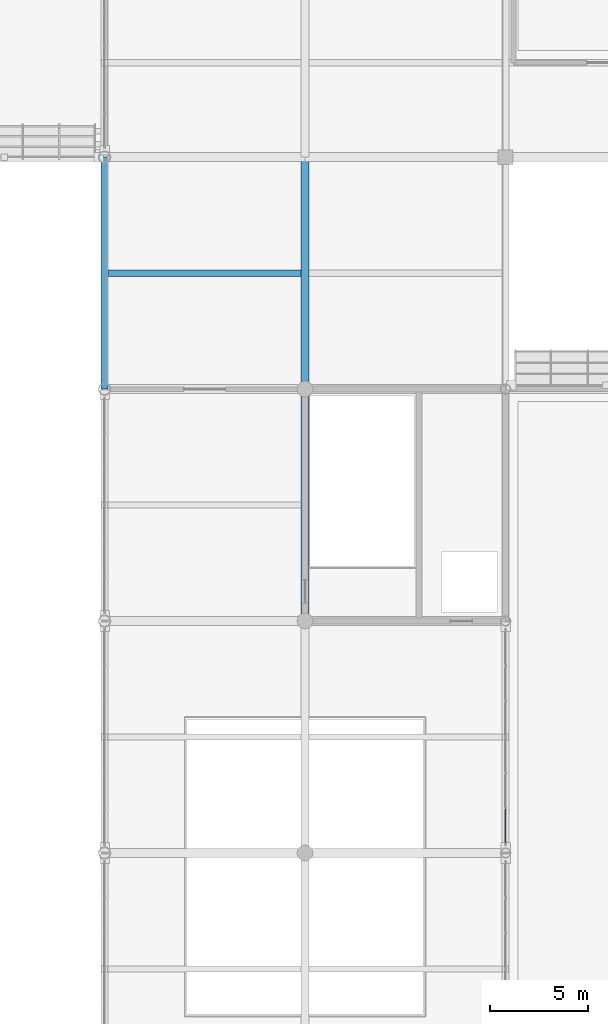
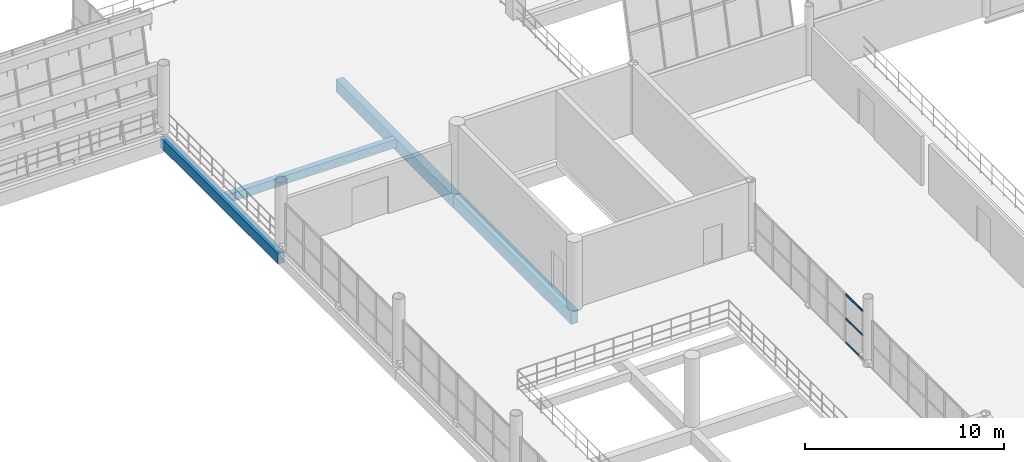
# One storey, part 74 of 157: 4 beams, 3 members, 1 element without a shape of its own.
"""IFC4 building model written with IfcOpenShell, lengths in metres."""

from ifc_helpers import new_model, si_unit, direction, frame, origin, origin_2d, place, context, subcontext, project, spatial, rectangle, hollow_rectangle, extrude, material, material_profile, profile_set, type_object, element, aggregate, save


model = new_model("IFC4")

# Units and contexts
model_context = context("Model", 3, precision=1e-05, world=origin(), true_north=direction((0.0, 1.0)))
body_context = subcontext(model_context, "Body", "Model", "MODEL_VIEW")
ifc_project = project(units=[si_unit("LENGTHUNIT", "METRE"), si_unit("AREAUNIT", "SQUARE_METRE"), si_unit("VOLUMEUNIT", "CUBIC_METRE"), si_unit("PLANEANGLEUNIT", "RADIAN"), si_unit("MASSUNIT", "GRAM", prefix="KILO")], contexts=[model_context])

# Site, building, storey
site_placement = place(None, origin())
site = spatial("IfcSite", under=ifc_project, at=site_placement, CompositionType="ELEMENT")
building_placement = place(site_placement, origin())
building = spatial("IfcBuilding", under=site, at=building_placement, Name="Brelvane Convention Centre", CompositionType="ELEMENT")
storey_placement = place(building_placement, frame((0.0, 0.0, 10.800048828125)))
storey = spatial("IfcBuildingStorey", under=building, at=storey_placement, Name="L02", CompositionType="ELEMENT", Elevation=10.800048828125)

# Curtain wall, members
ifc_material_1 = material(Name="Anodised Aluminium Alloy 6063-T6", Category="aluminium")
curtain_wall_type = type_object("IfcCurtainWallType", Name="Curtain Wall CW-CONC", PredefinedType="USERDEFINED", material=ifc_material_1)
curtain_wall_placement = place(storey_placement, origin())
curtain_wall = element("IfcCurtainWall", 1, at=curtain_wall_placement, inside=storey, type_object=curtain_wall_type, Name="Curtain Wall CW-CONC L02-GAL-ATRIUM-E-3", ObjectType="UNITISED", PredefinedType="USERDEFINED")
ifc_material_2 = material(Name="Anodised Aluminium Alloy 6063-T6", Category="aluminium")
ifc_material_profile_1 = material_profile(ifc_material_2, hollow_rectangle(XDim=0.06005859375, YDim=0.1201171875, WallThickness=0.00390625, InnerFilletRadius=0.00390625, OuterFilletRadius=0.008056640625, at=origin_2d()), Name="ALU-T 120x60x4.0")
ifc_profile_set_1 = profile_set([ifc_material_profile_1], Name="Anodised Aluminium Alloy 6063-T6")
member_type = type_object("IfcMemberType", Name="Curtain Transom CW-T3", PredefinedType="USERDEFINED", material=ifc_profile_set_1)
member_1_placement = place(storey_placement, frame((163.199951171875, 64.715087890625, 0.030029296875), z_axis=(0.0, 1.0, 0.0), x_axis=(-1.0, 0.0, 0.0)))
member_1 = element("IfcMember", 2, at=member_1_placement, type_object=member_type, Name="CW-CONC transom 1.1", ObjectType="TRANSOM", PredefinedType="USERDEFINED", context=body_context, shape_type="SweptSolid", body=[
    extrude(hollow_rectangle(XDim=0.06005859375, YDim=0.1201171875, WallThickness=0.00390625, InnerFilletRadius=0.00390625, OuterFilletRadius=0.008056640625, at=origin_2d()), origin(), (0.0, 0.0, 1.0), 1.718994140625),
])
member_2_placement = place(storey_placement, frame((163.199951171875, 64.715087890625, 1.5), z_axis=(0.0, 1.0, 0.0), x_axis=(-1.0, 0.0, 0.0)))
member_2 = element("IfcMember", 3, at=member_2_placement, type_object=member_type, Name="CW-CONC transom 1.2", ObjectType="TRANSOM", PredefinedType="USERDEFINED", context=body_context, shape_type="SweptSolid", body=[
    extrude(hollow_rectangle(XDim=0.06005859375, YDim=0.1201171875, WallThickness=0.00390625, InnerFilletRadius=0.00390625, OuterFilletRadius=0.008056640625, at=origin_2d()), origin(), (0.0, 0.0, 1.0), 1.718994140625),
])
member_3_placement = place(storey_placement, frame((163.199951171875, 64.715087890625, 2.969970703125), z_axis=(0.0, 1.0, 0.0), x_axis=(-1.0, 0.0, 0.0)))
member_3 = element("IfcMember", 4, at=member_3_placement, type_object=member_type, Name="CW-CONC transom 1.3", ObjectType="TRANSOM", PredefinedType="USERDEFINED", context=body_context, shape_type="SweptSolid", body=[
    extrude(hollow_rectangle(XDim=0.06005859375, YDim=0.1201171875, WallThickness=0.00390625, InnerFilletRadius=0.00390625, OuterFilletRadius=0.008056640625, at=origin_2d()), origin(), (0.0, 0.0, 1.0), 1.718994140625),
])
aggregate(curtain_wall, [member_1, member_2, member_3])

# Beams
ifc_material_3 = material(Name="Concrete M40", Category="concrete")
ifc_material_profile_2 = material_profile(ifc_material_3, rectangle(XDim=0.419921875, YDim=0.780029296875, at=origin_2d()), Name="RC 420x780")
ifc_profile_set_2 = profile_set([ifc_material_profile_2], Name="Concrete M40")
beam_type_1 = type_object("IfcBeamType", Name="RC Beam B-RC12 (RC 420x780)", PredefinedType="BEAM", material=ifc_profile_set_2)
for number, where, z_axis, x_axis, name in (
    (5, (153.0, 76.0, -0.670166015625), (0.0, 1.0, 0.0), (-1.0, 0.0, 0.0), "L02 Girder 16/H-J"),
    (6, (153.0, 87.800048828125, -0.699951171875), (0.0, 1.0, 0.0), (-1.0, 0.0, 0.0), "L02 Girder 16/J-K"),
):
    element("IfcBeam", number, at=place(storey_placement, frame(where, z_axis=z_axis, x_axis=x_axis)), inside=storey, type_object=beam_type_1, Name=name, PredefinedType="BEAM", context=body_context, shape_type="SweptSolid", body=[
        extrude(rectangle(XDim=0.419921875, YDim=0.780029296875, at=origin_2d()), origin(), (0.0, 0.0, 1.0), 11.800048828125),
    ])
ifc_material_4 = material(Name="Concrete M40", Category="concrete")
ifc_material_profile_3 = material_profile(ifc_material_4, rectangle(XDim=0.320068359375, YDim=0.52001953125, at=origin_2d()), Name="RC 320x520")
ifc_profile_set_3 = profile_set([ifc_material_profile_3], Name="Concrete M40")
beam_type_2 = type_object("IfcBeamType", Name="RC Joist J-RC4 (RC 320x520)", PredefinedType="JOIST", material=ifc_profile_set_3)
beam_1_placement = place(storey_placement, frame((142.97998046875, 93.699951171875, -0.570068359375), z_axis=(1.0, 0.0, 0.0), x_axis=(0.0, 1.0, 0.0)))
element("IfcBeam", 7, at=beam_1_placement, inside=storey, type_object=beam_type_2, Name="L02 Secondary Joist 15-16/JK", PredefinedType="JOIST", context=body_context, shape_type="SweptSolid", body=[
    extrude(rectangle(XDim=0.320068359375, YDim=0.52001953125, at=origin_2d()), origin(), (0.0, 0.0, 1.0), 9.81005859375),
])
ifc_material_5 = material(Name="Concrete M40", Category="concrete")
ifc_material_profile_4 = material_profile(ifc_material_5, rectangle(XDim=0.360107421875, YDim=0.639892578125, at=origin_2d()), Name="RC 360x640")
ifc_profile_set_4 = profile_set([ifc_material_profile_4], Name="Concrete M40")
beam_type_3 = type_object("IfcBeamType", Name="RC Spandrel SP-RC3 (RC 360x640)", PredefinedType="SPANDREL", material=ifc_profile_set_4)
beam_2_placement = place(storey_placement, frame((142.800048828125, 87.800048828125, -0.630126953125), z_axis=(0.0, 1.0, 0.0), x_axis=(-1.0, 0.0, 0.0)))
element("IfcBeam", 8, at=beam_2_placement, inside=storey, type_object=beam_type_3, Name="L02 Girder 15/J-K", PredefinedType="SPANDREL", context=body_context, shape_type="SweptSolid", body=[
    extrude(rectangle(XDim=0.360107421875, YDim=0.639892578125, at=origin_2d()), origin(), (0.0, 0.0, 1.0), 11.800048828125),
])

save(model, "model.ifc")
